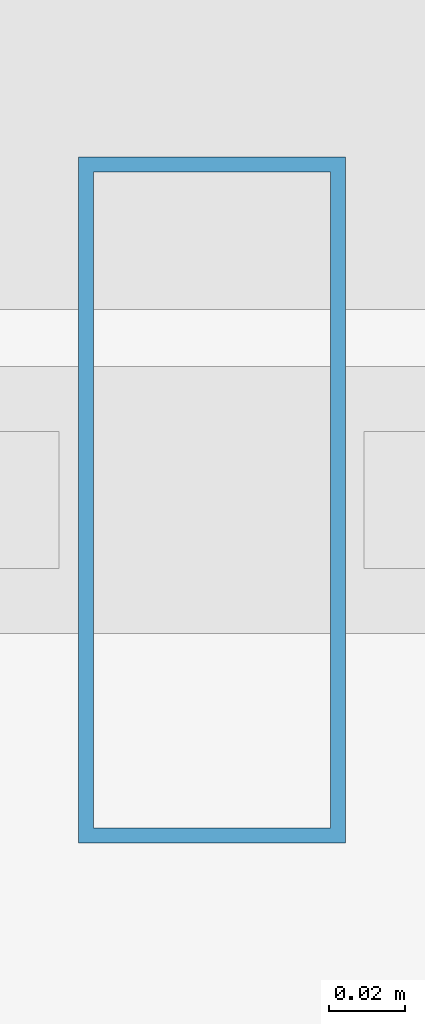
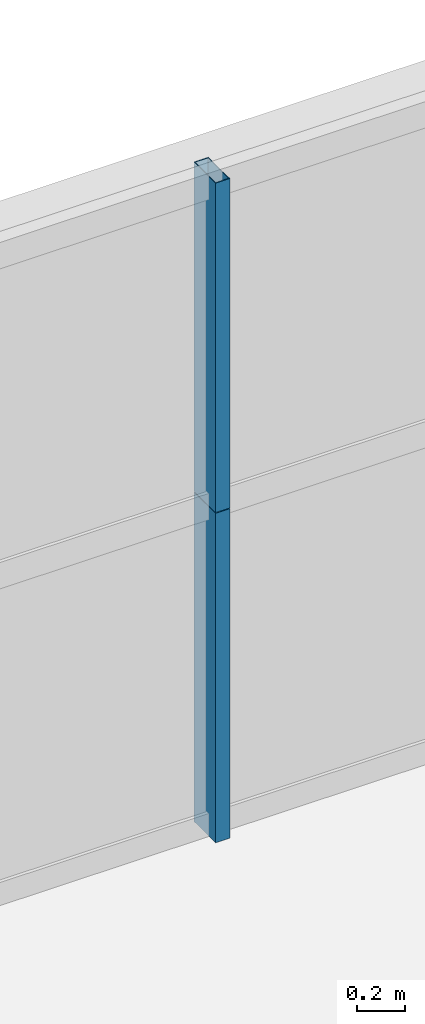
# One storey, part 37 of 46: 2 members, 1 element without a shape of its own.
"""IFC4 building model written with IfcOpenShell, lengths in metres."""

from ifc_helpers import new_model, si_unit, direction, frame, origin, origin_2d, place, context, subcontext, project, spatial, hollow_rectangle, extrude, source, transform, mapped, material, layer, layer_set, material_profile, profile_set, type_object, element, aggregate, save


model = new_model("IFC4")

# Units and contexts
model_context = context("Model", 3, precision=1e-05, world=origin(), true_north=direction((0.0, 1.0)))
body_context = subcontext(model_context, "Body", "Model", "MODEL_VIEW")
ifc_project = project(units=[si_unit("LENGTHUNIT", "METRE"), si_unit("AREAUNIT", "SQUARE_METRE"), si_unit("VOLUMEUNIT", "CUBIC_METRE"), si_unit("PLANEANGLEUNIT", "RADIAN"), si_unit("MASSUNIT", "GRAM", prefix="KILO"), si_unit("THERMODYNAMICTEMPERATUREUNIT", "KELVIN"), si_unit("POWERUNIT", "WATT")], contexts=[model_context])

# Site, building, storey
site_placement = place(None, origin())
site = spatial("IfcSite", under=ifc_project, at=site_placement, CompositionType="ELEMENT")
building_placement = place(site_placement, origin())
building = spatial("IfcBuilding", under=site, at=building_placement, Name="Yuzanri Waterfront Tower", CompositionType="ELEMENT")
storey_placement = place(building_placement, frame((0.0, 0.0, 56.800048828125)))
storey = spatial("IfcBuildingStorey", under=building, at=storey_placement, Name="L14", CompositionType="ELEMENT", Elevation=56.800048828125)

# Curtain wall, members
ifc_material_1 = material(Name="Anodized Architectural Bronze", Category="metal")
ifc_layer = layer(ifc_material_1, 0.159912109375)
ifc_layer_set = layer_set([ifc_layer], Name="Anodized Architectural Bronze")
curtain_wall_type = type_object("IfcCurtainWallType", Name="Anodized Bronze Hotel Lower-Tier Recessed Unitized Curtain Wall 8100", PredefinedType="NOTDEFINED", material=ifc_layer_set)
curtain_wall_placement = place(storey_placement, origin())
curtain_wall = element("IfcCurtainWall", 1, at=curtain_wall_placement, inside=storey, type_object=curtain_wall_type, Name="L14 Curtain Wall CW-L14-NR", PredefinedType="NOTDEFINED")
ifc_material_2 = material(Name="Anodized Architectural Bronze", Category="metal")
ifc_material_profile = material_profile(ifc_material_2, hollow_rectangle(XDim=0.070068359375, YDim=0.179931640625, WallThickness=0.00390625, at=origin_2d()), Name="CWM 70x180")
ifc_profile_set = profile_set([ifc_material_profile], Name="Anodized Architectural Bronze")
member_type = type_object("IfcMemberType", Name="Anodized Bronze Standard Curtain-Wall Mullion 70x180", PredefinedType="MULLION", material=ifc_profile_set)
shared_shape = source(origin(), body_context, "Body", "SweptSolid", [
    extrude(hollow_rectangle(XDim=0.070068359375, YDim=0.179931640625, WallThickness=0.00390625, at=origin_2d()), origin(), (0.0, 0.0, 1.0), 1.68798828125),
])
member_1_placement = place(storey_placement, frame((46.10009765625, 50.75, 0.0), z_axis=(0.0, 0.0, 1.0), x_axis=(1.0, 0.0, 0.0)))
member_1 = element("IfcMember", 2, at=member_1_placement, type_object=member_type, Name="CW-L14-NR Lower Mullion 01", PredefinedType="MULLION", context=body_context, shape_type="MappedRepresentation", body=[
    mapped(shared_shape, transform((0.0, 0.0, 0.0), scale=1.0)),
])
member_2_placement = place(storey_placement, frame((46.10009765625, 50.75, 1.69189453125), z_axis=(0.0, 0.0, 1.0), x_axis=(1.0, 0.0, 0.0)))
member_2 = element("IfcMember", 3, at=member_2_placement, type_object=member_type, Name="CW-L14-NR Upper Mullion 01", PredefinedType="MULLION", context=body_context, shape_type="MappedRepresentation", body=[
    mapped(shared_shape, transform((0.0, 0.0, 0.0), scale=1.0)),
])
aggregate(curtain_wall, [member_1, member_2])

save(model, "model.ifc")
